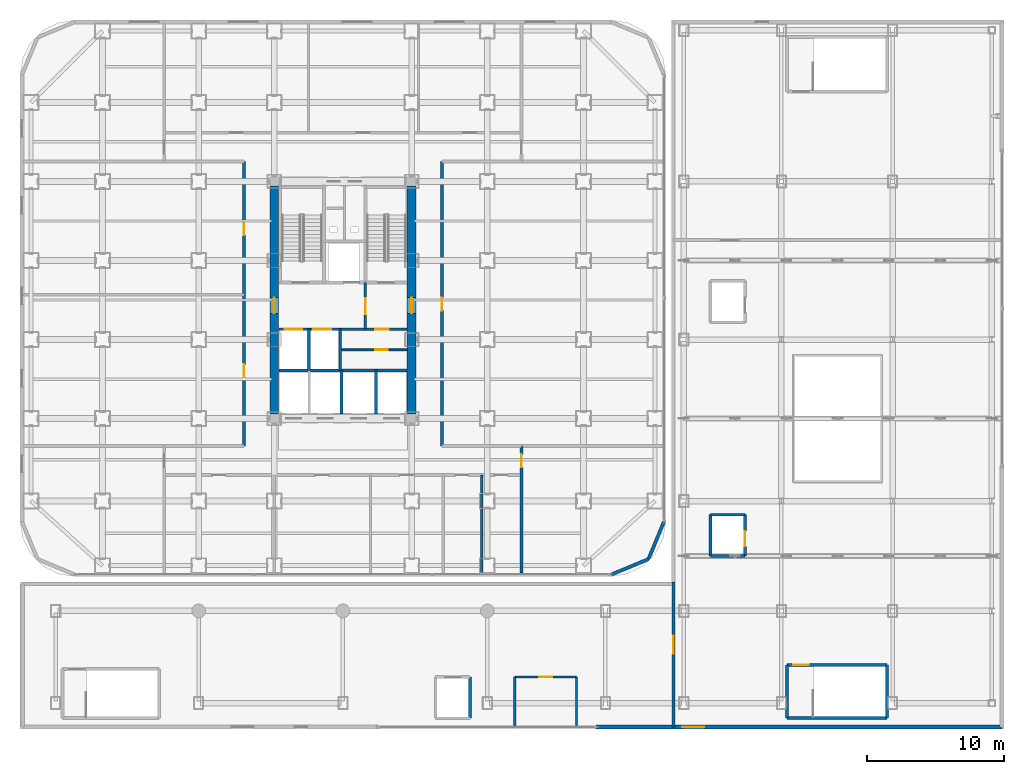
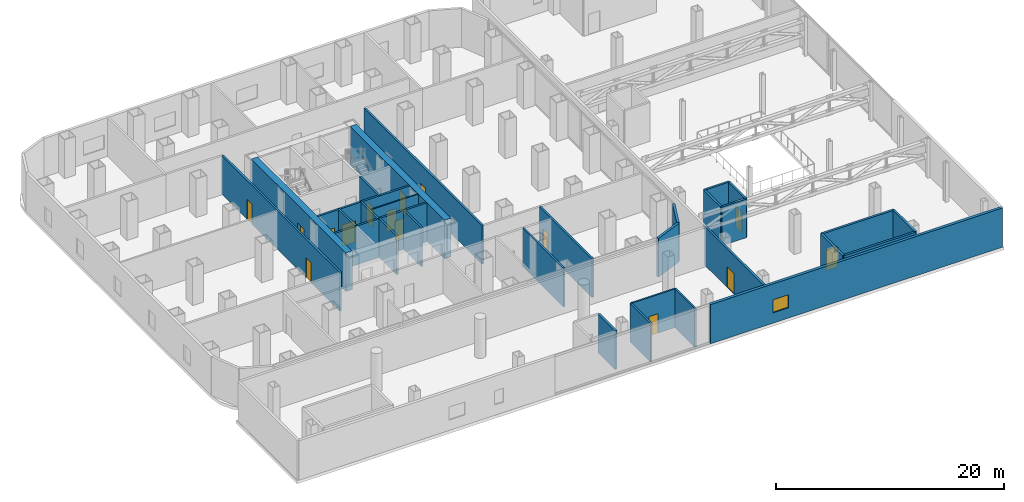
# One storey, part 23 of 28: 30 walls, 15 doors, 1 window, 16 openings.
"""IFC4 building model written with IfcOpenShell, lengths in metres."""

import ifcopenshell
import ifcopenshell.guid

model = None  # the IFC model being written
_history = None  # IfcOwnerHistory: only IFC2X3 demands one
_inside = {}  # id of a spatial element -> (the spatial element, [elements in it])
_under = {}  # id of a project, library or spatial element -> (it, [spatial elements below it])
_declared = {}  # id of a project -> (the project, [libraries it declares])
_typed = {}  # id of a type object -> (the type object, [elements of that type])
_made_of = {}  # id of a material, layer set ... -> (it, [elements and type objects made of it])


def new_model(schema):
    """Start an empty IFC model of exactly this schema.

    Asked for "IFC4X3", IfcOpenShell would pick the latest addendum, in which some entities
    have other attributes; the version numbers below select the first issue.
    IFC2X3 requires an IfcOwnerHistory on every rooted entity: one is made here for all.
    """
    global model, _history
    if schema == "IFC4X3":
        model = ifcopenshell.file(schema_version=(4, 3, 0, 0))
    else:
        model = ifcopenshell.file(schema=schema)
    _inside.clear()
    _under.clear()
    _declared.clear()
    _typed.clear()
    _made_of.clear()
    _history = None
    if model.schema == "IFC2X3":
        org = make("IfcOrganization", Name="unknown")
        user = make(
            "IfcPersonAndOrganization",
            ThePerson=make("IfcPerson", FamilyName="unknown"),
            TheOrganization=org,
        )
        app = make(
            "IfcApplication",
            ApplicationDeveloper=org,
            Version="unknown",
            ApplicationFullName="unknown",
            ApplicationIdentifier="unknown",
        )
        _history = make(
            "IfcOwnerHistory",
            OwningUser=user,
            OwningApplication=app,
            ChangeAction="ADDED",
            CreationDate=0,
        )
    return model


def make(cls, **values):
    """One entity of the class cls with the attributes given. An attribute that is None is left unset."""
    return model.create_entity(
        cls, **{name: value for name, value in values.items() if value is not None}
    )


def rooted(cls, **values):
    """An entity with a GlobalId (a new one), such as an element, a storey or a relation."""
    return make(cls, GlobalId=ifcopenshell.guid.new(), OwnerHistory=_history, **values)


def si_unit(unit_type, name, prefix=None):
    """IfcSIUnit, for example si_unit("LENGTHUNIT", "METRE", prefix="MILLI")."""
    return make("IfcSIUnit", UnitType=unit_type, Prefix=prefix, Name=name)


def assignment(units):
    """IfcUnitAssignment: the units of a project."""
    return None if units is None else make("IfcUnitAssignment", Units=units)


def point(xyz):
    """IfcCartesianPoint."""
    return None if xyz is None else make("IfcCartesianPoint", Coordinates=xyz)


def direction(xyz):
    """IfcDirection."""
    return None if xyz is None else make("IfcDirection", DirectionRatios=xyz)


def frame(location, z_axis=None, x_axis=None):
    """IfcAxis2Placement3D, a coordinate frame: its origin and axes. An axis left out is left unset."""
    return make(
        "IfcAxis2Placement3D",
        Location=point(location),
        Axis=direction(z_axis),
        RefDirection=direction(x_axis),
    )


def frame_2d(location, x_axis=None):
    """IfcAxis2Placement2D, a coordinate frame in the plane: its origin and x axis."""
    return make(
        "IfcAxis2Placement2D", Location=point(location), RefDirection=direction(x_axis)
    )


def origin():
    """The frame at (0, 0, 0) with its axes left unset."""
    return frame((0.0, 0.0, 0.0))


def place(relative_to, where):
    """IfcLocalPlacement: puts the frame where relative to a parent placement (None: the world)."""
    return make(
        "IfcLocalPlacement", PlacementRelTo=relative_to, RelativePlacement=where
    )


def context(
    kind, dimensions, precision=None, world=None, true_north=None, identifier=None
):
    """IfcGeometricRepresentationContext, for example the 3D "Model" context."""
    return make(
        "IfcGeometricRepresentationContext",
        ContextIdentifier=identifier,
        ContextType=kind,
        CoordinateSpaceDimension=dimensions,
        Precision=precision,
        WorldCoordinateSystem=world,
        TrueNorth=true_north,
    )


def subcontext(parent, identifier, kind, view, scale=None):
    """IfcGeometricRepresentationSubContext, for example "Body" below "Model"."""
    return make(
        "IfcGeometricRepresentationSubContext",
        ContextIdentifier=identifier,
        ContextType=kind,
        ParentContext=parent,
        TargetScale=scale,
        TargetView=view,
    )


def project(units=None, contexts=None):
    """IfcProject with its units and contexts."""
    return rooted(
        "IfcProject",
        Name="project",
        RepresentationContexts=contexts,
        UnitsInContext=assignment(units),
    )


def spatial(cls, under=None, at=None, **own):
    """A site, building, storey or space (cls), placed at a placement, below another one or the project."""
    s = rooted(cls, ObjectPlacement=at, **own)
    if under is not None:
        _under.setdefault(under.id(), (under, []))[1].append(s)
    return s


def profile(cls, at=None, kind="AREA", **sizes):
    """A parametric profile (cls). Its sizes go by their IFC names, for example OverallWidth=200.0."""
    return make(cls, ProfileType=kind, Position=at, **sizes)


def rectangle(**sizes):
    """IfcRectangleProfileDef."""
    return profile("IfcRectangleProfileDef", **sizes)


def extrude(swept, where, along, depth):
    """IfcExtrudedAreaSolid: the profile swept, set in the frame where, extruded along a direction by depth."""
    return make(
        "IfcExtrudedAreaSolid",
        SweptArea=swept,
        Position=where,
        ExtrudedDirection=direction(along),
        Depth=depth,
    )


def shape(context_of_items, identifier, shape_type, items):
    """IfcShapeRepresentation: the items that make up one representation, for example the "Body"."""
    return make(
        "IfcShapeRepresentation",
        ContextOfItems=context_of_items,
        RepresentationIdentifier=identifier,
        RepresentationType=shape_type,
        Items=items,
    )


def material(Name=None, Category=None):
    """IfcMaterial."""
    return make("IfcMaterial", Name=Name, Category=Category)


def layer(
    of_material, thickness, ventilated=None, Name=None, Category=None, Priority=None
):
    """IfcMaterialLayer: one layer of a wall or slab, of a material (None: an air gap)."""
    return make(
        "IfcMaterialLayer",
        Material=of_material,
        LayerThickness=thickness,
        IsVentilated=ventilated,
        Name=Name,
        Category=Category,
        Priority=Priority,
    )


def layer_set(layers, Name=None):
    """IfcMaterialLayerSet."""
    return make("IfcMaterialLayerSet", MaterialLayers=layers, LayerSetName=Name)


def made_of(thing, what):
    """Note that an element or type object is made of a material, layer set ...; save() writes the relation."""
    if what is not None:
        _made_of.setdefault(what.id(), (what, []))[1].append(thing)
    return thing


def type_object(cls, material=None, **own):
    """A type object (cls), such as IfcWallType, which elements share."""
    return made_of(rooted(cls, **own), material)


def element(
    cls,
    number,
    at=None,
    inside=None,
    cuts=None,
    type_object=None,
    material=None,
    context=None,
    identifier="Body",
    shape_type=None,
    held_by="IfcProductDefinitionShape",
    body=None,
    shapes=None,
    **own,
):
    """One element of the class cls, such as IfcWall. Its Tag is "e" and its number.

    at: its placement. inside: the storey or other place that contains it. cuts: it is an
    opening in that element (IfcRelVoidsElement). A single representation is given by context,
    identifier, shape_type and body (its items); several are given by shapes. held_by: the class
    of the entity that holds the representations. save() writes the other relations.
    """
    e = rooted(cls, Tag="e%d" % number, ObjectPlacement=at, **own)
    if body is not None:
        shapes = [shape(context, identifier, shape_type, body)]
    if shapes is not None:
        e.Representation = make(held_by, Representations=shapes)
    if inside is not None:
        _inside.setdefault(inside.id(), (inside, []))[1].append(e)
    if cuts is not None:
        rooted(
            "IfcRelVoidsElement", RelatingBuildingElement=cuts, RelatedOpeningElement=e
        )
    if type_object is not None:
        _typed.setdefault(type_object.id(), (type_object, []))[1].append(e)
    return made_of(e, material)


def fill(opening, filler):
    """IfcRelFillsElement: the door or window that sits in an opening."""
    return rooted(
        "IfcRelFillsElement",
        RelatingOpeningElement=opening,
        RelatedBuildingElement=filler,
    )


def aggregate(whole, parts):
    """IfcRelAggregates: a whole, such as a stair, and the parts it consists of."""
    return rooted("IfcRelAggregates", RelatingObject=whole, RelatedObjects=parts)


def save(model, path):
    """Write the relations noted so far, then the file.

    IfcRelAggregates (storeys below a building ...), IfcRelContainedInSpatialStructure (elements
    in a storey), IfcRelDefinesByType, IfcRelAssociatesMaterial and IfcRelDeclares: one each for
    every whole, place, type object, material and project.
    """
    for whole, parts in _under.values():
        aggregate(whole, parts)
    for where, things in _inside.values():
        rooted(
            "IfcRelContainedInSpatialStructure",
            RelatedElements=things,
            RelatingStructure=where,
        )
    for kind, things in _typed.values():
        rooted("IfcRelDefinesByType", RelatedObjects=things, RelatingType=kind)
    for what, things in _made_of.values():
        rooted("IfcRelAssociatesMaterial", RelatedObjects=things, RelatingMaterial=what)
    for by, libraries in _declared.values():
        rooted("IfcRelDeclares", RelatingContext=by, RelatedDefinitions=libraries)
    model.write(path)


model = new_model("IFC4")

# Units and contexts
model_context = context("Model", 3, precision=1e-05, world=origin(), true_north=direction((0.0, 1.0)))
body_context = subcontext(model_context, "Body", "Model", "MODEL_VIEW")
ifc_project = project(units=[si_unit("LENGTHUNIT", "METRE"), si_unit("AREAUNIT", "SQUARE_METRE"), si_unit("VOLUMEUNIT", "CUBIC_METRE"), si_unit("PLANEANGLEUNIT", "RADIAN"), si_unit("MASSUNIT", "GRAM", prefix="KILO")], contexts=[model_context])

# Site, building, storey
site_placement = place(None, origin())
site = spatial("IfcSite", under=ifc_project, at=site_placement, CompositionType="ELEMENT")
building_placement = place(site_placement, origin())
building = spatial("IfcBuilding", under=site, at=building_placement, Name="Kolveth Station Tower", CompositionType="ELEMENT")
storey_placement = place(building_placement, frame((0.0, 0.0, 18.0)))
storey = spatial("IfcBuildingStorey", under=building, at=storey_placement, Name="L04", CompositionType="ELEMENT", Elevation=18.0)

# Wall, opening, door
ifc_material_1 = material(Name="Concrete C60/75", Category="concrete")
ifc_layer_1 = layer(ifc_material_1, 0.64990234375)
ifc_layer_set_1 = layer_set([ifc_layer_1], Name="Concrete C60/75")
wall_type_1 = type_object("IfcWallType", Name="Wall_CW-650", PredefinedType="SHEAR", material=ifc_layer_set_1)
wall_1_placement = place(storey_placement, frame((18.5, 11.824951171875, 0.0), z_axis=(0.0, 0.0, 1.0), x_axis=(0.0, 1.0, 0.0)))
wall_1 = element("IfcWall", 1, at=wall_1_placement, inside=storey, type_object=wall_type_1, Name="L04 Core RC Shear Wall W", PredefinedType="SHEAR", context=body_context, shape_type="SweptSolid", body=[
    extrude(rectangle(XDim=16.60009765625, YDim=0.64990234375, at=frame_2d((8.300048828125, 0.0))), origin(), (0.0, 0.0, 1.0), 4.139892578125),
])
opening_1_placement = place(wall_1_placement, frame((7.324951171875, 0.0, 0.0)))
opening_1 = element("IfcOpeningElement", 2, at=opening_1_placement, cuts=wall_1, Name="Opening FD1", PredefinedType="OPENING", context=body_context, shape_type="SweptSolid", body=[
    extrude(rectangle(XDim=1.14990234375, YDim=2.199951171875, at=frame_2d((0.574951171875, 1.10009765625))), frame((0.0, 0.3349609375, 0.0), z_axis=(0.0, -1.0, 0.0), x_axis=(1.0, 0.0, 0.0)), (0.0, 0.0, 1.0), 0.669921875),
])
ifc_material_2 = material(Name="Fire-rated Steel S355 leaf and frame", Category="steel")
door_type_1 = type_object("IfcDoorType", Name="Door_FD1", OperationType="NOTDEFINED", PredefinedType="DOOR", material=ifc_material_2)
door_1_placement = place(opening_1_placement, frame((1.14990234375, 0.0, 0.0), z_axis=(0.0, 0.0, 1.0), x_axis=(-1.0, 0.0, 0.0)))
door_1 = element("IfcDoor", 3, at=door_1_placement, inside=storey, type_object=door_type_1, Name="L04 West Corridor to Firefighting Lobby Door", OperationType="SINGLE_SWING_RIGHT", OverallHeight=2.199951171875, OverallWidth=1.14990234375, PredefinedType="DOOR", context=body_context, shape_type="SweptSolid", body=[
    extrude(rectangle(XDim=1.14990234375, YDim=2.199951171875, at=frame_2d((0.574951171875, 1.10009765625))), frame((0.0, 0.02490234375, 0.0), z_axis=(0.0, -1.0, 0.0), x_axis=(1.0, 0.0, 0.0)), (0.0, 0.0, 1.0), 0.050048828125),
])
fill(opening_1, door_1)

wall_2_placement = place(storey_placement, frame((28.5, 11.824951171875, 0.0), z_axis=(0.0, 0.0, 1.0), x_axis=(0.0, 1.0, 0.0)))
wall_2 = element("IfcWall", 4, at=wall_2_placement, inside=storey, type_object=wall_type_1, Name="L04 Core RC Shear Wall E", PredefinedType="SHEAR", context=body_context, shape_type="SweptSolid", body=[
    extrude(rectangle(XDim=16.60009765625, YDim=0.64990234375, at=frame_2d((8.300048828125, 0.0))), origin(), (0.0, 0.0, 1.0), 4.139892578125),
])
opening_2_placement = place(wall_2_placement, frame((7.324951171875, 0.0, 0.0)))
opening_2 = element("IfcOpeningElement", 5, at=opening_2_placement, cuts=wall_2, Name="Opening FD1", PredefinedType="OPENING", context=body_context, shape_type="SweptSolid", body=[
    extrude(rectangle(XDim=1.14990234375, YDim=2.199951171875, at=frame_2d((0.574951171875, 1.10009765625))), frame((0.0, 0.3349609375, 0.0), z_axis=(0.0, -1.0, 0.0), x_axis=(1.0, 0.0, 0.0)), (0.0, 0.0, 1.0), 0.669921875),
])
door_2_placement = place(opening_2_placement, origin())
door_2 = element("IfcDoor", 6, at=door_2_placement, inside=storey, type_object=door_type_1, Name="L04 East Corridor to Stair Lobby Door", OperationType="SINGLE_SWING_LEFT", OverallHeight=2.199951171875, OverallWidth=1.14990234375, PredefinedType="DOOR", context=body_context, shape_type="SweptSolid", body=[
    extrude(rectangle(XDim=1.14990234375, YDim=2.199951171875, at=frame_2d((0.574951171875, 1.10009765625))), frame((0.0, 0.02490234375, 0.0), z_axis=(0.0, -1.0, 0.0), x_axis=(1.0, 0.0, 0.0)), (0.0, 0.0, 1.0), 0.050048828125),
])
fill(opening_2, door_2)

# Walls
ifc_material_3 = material(Name="Precast concrete C40/50", Category="concrete")
ifc_layer_2 = layer(ifc_material_3, 0.239990234375)
ifc_layer_set_2 = layer_set([ifc_layer_2], Name="Precast concrete C40/50")
wall_type_2 = type_object("IfcWallType", Name="Wall_EW-240", PredefinedType="SOLIDWALL", material=ifc_layer_set_2)
for number, where, z_axis, x_axis, name in (
    (7, (43.0, 0.139892578125, 0.0), (0.0, 0.0, 1.0), (0.923876833688, 0.382689947836, 0.0), "L04 Podium Rounded Corner Wall 1"),
    (8, (45.7294921875, 1.2705078125, 0.0), (0.0, 0.0, 1.0), (0.382689947836, 0.923876833688, 0.0), "L04 Podium Rounded Corner Wall 2"),
):
    element("IfcWall", number, at=place(storey_placement, frame(where, z_axis=z_axis, x_axis=x_axis)), inside=storey, type_object=wall_type_2, Name=name, PredefinedType="SOLIDWALL", context=body_context, shape_type="SweptSolid", body=[
        extrude(rectangle(XDim=2.954345703125, YDim=0.239990234375, at=frame_2d((1.47705078125, 0.0))), origin(), (0.0, 0.0, 1.0), 4.139892578125),
    ])

# Wall, opening, window
ifc_layer_3 = layer(ifc_material_3, 0.280029296875)
ifc_layer_set_3 = layer_set([ifc_layer_3], Name="Precast concrete C40/50")
wall_type_3 = type_object("IfcWallType", Name="Wall_EW-280", PredefinedType="SOLIDWALL", material=ifc_layer_set_3)
wall_3_placement = place(storey_placement, frame((41.89990234375, -10.949951171875, 0.0), z_axis=(0.0, 0.0, 1.0), x_axis=(1.0, 0.0, 0.0)))
wall_3 = element("IfcWall", 9, at=wall_3_placement, inside=storey, type_object=wall_type_3, Name="L04 Station Exterior Wall S2", PredefinedType="SOLIDWALL", context=body_context, shape_type="SweptSolid", body=[
    extrude(rectangle(XDim=29.550048828125, YDim=0.280029296875, at=frame_2d((14.77490234375, 0.0))), origin(), (0.0, 0.0, 1.0), 4.199951171875),
])
opening_3_placement = place(wall_3_placement, frame((6.300048828125, 0.0, 1.10009765625)))
opening_3 = element("IfcOpeningElement", 10, at=opening_3_placement, cuts=wall_3, Name="Opening W7", PredefinedType="OPENING", context=body_context, shape_type="SweptSolid", body=[
    extrude(rectangle(XDim=1.60009765625, YDim=1.39990234375, at=frame_2d((0.800048828125, 0.699951171875))), frame((0.0, 0.14990234375, 0.0), z_axis=(0.0, -1.0, 0.0), x_axis=(1.0, 0.0, 0.0)), (0.0, 0.0, 1.0), 0.300048828125),
])
ifc_material_4 = material(Name="Black anodized aluminium 6063-T6 and triple low-E glass", Category="aluminium")
window_type = type_object("IfcWindowType", Name="Win_W7", PartitioningType="SINGLE_PANEL", PredefinedType="WINDOW", material=ifc_material_4)
window_placement = place(opening_3_placement, origin())
window = element("IfcWindow", 11, at=window_placement, inside=storey, type_object=window_type, Name="L04 Station Hall Window 3", OverallHeight=1.39990234375, OverallWidth=1.60009765625, PartitioningType="SINGLE_PANEL", PredefinedType="WINDOW", context=body_context, shape_type="SweptSolid", body=[
    extrude(rectangle(XDim=1.60009765625, YDim=1.39990234375, at=frame_2d((0.800048828125, 0.699951171875))), frame((0.0, 0.030029296875, 0.0), z_axis=(0.0, -1.0, 0.0), x_axis=(1.0, 0.0, 0.0)), (0.0, 0.0, 1.0), 0.06005859375),
])
fill(opening_3, window)

# Wall, opening, door
ifc_material_5 = material(Name="Moisture-resistant gypsum partition")
ifc_layer_4 = layer(ifc_material_5, 0.135009765625)
ifc_layer_set_4 = layer_set([ifc_layer_4], Name="Moisture-resistant gypsum partition")
wall_type_4 = type_object("IfcWallType", Name="Wall_IW-135", PredefinedType="PARTITIONING", material=ifc_layer_set_4)
wall_4_placement = place(storey_placement, frame((23.300048828125, 16.5, 0.0), z_axis=(0.0, 0.0, 1.0), x_axis=(1.0, 0.0, 0.0)))
wall_4 = element("IfcWall", 12, at=wall_4_placement, inside=storey, type_object=wall_type_4, Name="L04 Partition Wall WL-L04-CB-H1", PredefinedType="PARTITIONING", context=body_context, shape_type="SweptSolid", body=[
    extrude(rectangle(XDim=4.864990234375, YDim=0.135009765625, at=frame_2d((2.4326171875, 0.0))), origin(), (0.0, 0.0, 1.0), 4.139892578125),
])
opening_4_placement = place(wall_4_placement, frame((2.550048828125, 0.0, 0.0)))
opening_4 = element("IfcOpeningElement", 13, at=opening_4_placement, cuts=wall_4, Name="Opening RD1", PredefinedType="OPENING", context=body_context, shape_type="SweptSolid", body=[
    extrude(rectangle(XDim=0.89990234375, YDim=2.050048828125, at=frame_2d((0.449951171875, 1.02490234375))), frame((0.0, 0.077392578125, 0.0), z_axis=(0.0, -1.0, 0.0), x_axis=(1.0, 0.0, 0.0)), (0.0, 0.0, 1.0), 0.155029296875),
])
ifc_material_6 = material(Name="Fire-rated Steel S355 riser access leaf", Category="steel")
door_type_2 = type_object("IfcDoorType", Name="Door_RD1", OperationType="NOTDEFINED", PredefinedType="DOOR", material=ifc_material_6)
door_3_placement = place(opening_4_placement, frame((0.89990234375, 0.0, 0.0), z_axis=(0.0, 0.0, 1.0), x_axis=(-1.0, 0.0, 0.0)))
door_3 = element("IfcDoor", 14, at=door_3_placement, inside=storey, type_object=door_type_2, Name="L04 Core Equipment Store Door", OperationType="SINGLE_SWING_LEFT", OverallHeight=2.050048828125, OverallWidth=0.89990234375, PredefinedType="DOOR", context=body_context, shape_type="SweptSolid", body=[
    extrude(rectangle(XDim=0.89990234375, YDim=2.050048828125, at=frame_2d((0.449951171875, 1.02490234375))), frame((0.0, 0.02490234375, 0.0), z_axis=(0.0, -1.0, 0.0), x_axis=(1.0, 0.0, 0.0)), (0.0, 0.0, 1.0), 0.050048828125),
])
fill(opening_4, door_3)

# Wall
ifc_material_7 = material(Name="Acoustic double-stud gypsum partition")
ifc_layer_5 = layer(ifc_material_7, 0.1650390625)
ifc_layer_set_5 = layer_set([ifc_layer_5], Name="Acoustic double-stud gypsum partition")
wall_type_5 = type_object("IfcWallType", Name="Wall_IW-165", PredefinedType="PARTITIONING", material=ifc_layer_set_5)
wall_5_placement = place(storey_placement, frame((33.60009765625, 0.25, 0.0), z_axis=(0.0, 0.0, 1.0), x_axis=(0.0, 1.0, 0.0)))
element("IfcWall", 15, at=wall_5_placement, inside=storey, type_object=wall_type_5, Name="L04 Partition Wall WL-L04-TPS-P4", PredefinedType="PARTITIONING", context=body_context, shape_type="SweptSolid", body=[
    extrude(rectangle(XDim=7.14990234375, YDim=0.1650390625, at=frame_2d((3.574951171875, 0.0))), origin(), (0.0, 0.0, 1.0), 4.139892578125),
])

# Wall, opening, door
wall_6_placement = place(storey_placement, frame((36.0, -7.300048828125, 0.0), z_axis=(0.0, 0.0, 1.0), x_axis=(1.0, 0.0, 0.0)))
wall_6 = element("IfcWall", 16, at=wall_6_placement, inside=storey, type_object=wall_type_5, Name="L04 Partition Wall WL-L04-SWC-N", PredefinedType="PARTITIONING", context=body_context, shape_type="SweptSolid", body=[
    extrude(rectangle(XDim=4.5, YDim=0.1650390625, at=frame_2d((2.25, 0.0))), origin(), (0.0, 0.0, 1.0), 4.139892578125),
])
opening_5_placement = place(wall_6_placement, frame((1.800048828125, 0.0, 0.0)))
opening_5 = element("IfcOpeningElement", 17, at=opening_5_placement, cuts=wall_6, Name="Opening ID2", PredefinedType="OPENING", context=body_context, shape_type="SweptSolid", body=[
    extrude(rectangle(XDim=0.919921875, YDim=2.10009765625, at=frame_2d((0.4599609375, 1.050048828125))), frame((0.0, 0.092529296875, 0.0), z_axis=(0.0, -1.0, 0.0), x_axis=(1.0, 0.0, 0.0)), (0.0, 0.0, 1.0), 0.18505859375),
])
ifc_material_8 = material(Name="Moisture-resistant hardwood leaf", Category="wood")
door_type_3 = type_object("IfcDoorType", Name="Door_ID2", OperationType="NOTDEFINED", PredefinedType="DOOR", material=ifc_material_8)
door_4_placement = place(opening_5_placement, origin())
door_4 = element("IfcDoor", 18, at=door_4_placement, inside=storey, type_object=door_type_3, Name="L04 Station Accessible WC Door", OperationType="SINGLE_SWING_RIGHT", OverallHeight=2.10009765625, OverallWidth=0.919921875, PredefinedType="DOOR", context=body_context, shape_type="SweptSolid", body=[
    extrude(rectangle(XDim=0.919921875, YDim=2.10009765625, at=frame_2d((0.4599609375, 1.050048828125))), frame((0.0, 0.02490234375, 0.0), z_axis=(0.0, -1.0, 0.0), x_axis=(1.0, 0.0, 0.0)), (0.0, 0.0, 1.0), 0.050048828125),
])
fill(opening_5, door_4)

# Walls
for number, where, z_axis, x_axis, name in (
    (19, (36.0, -10.85009765625, 0.0), (0.0, 0.0, 1.0), (0.0, 1.0, 0.0), "L04 Partition Wall WL-L04-SWC-W"),
    (20, (40.5, -10.85009765625, 0.0), (0.0, 0.0, 1.0), (0.0, 1.0, 0.0), "L04 Partition Wall WL-L04-SWC-E"),
):
    element("IfcWall", number, at=place(storey_placement, frame(where, z_axis=z_axis, x_axis=x_axis)), inside=storey, type_object=wall_type_5, Name=name, PredefinedType="PARTITIONING", context=body_context, shape_type="SweptSolid", body=[
        extrude(rectangle(XDim=3.550048828125, YDim=0.1650390625, at=frame_2d((1.77490234375, 0.0))), origin(), (0.0, 0.0, 1.0), 4.139892578125),
    ])

# Wall, opening, door
ifc_material_9 = material(Name="Acoustic fire-rated gypsum blockwork", Category="masonry")
ifc_layer_6 = layer(ifc_material_9, 0.199951171875)
ifc_layer_set_6 = layer_set([ifc_layer_6], Name="Acoustic fire-rated gypsum blockwork")
wall_type_6 = type_object("IfcWallType", Name="Wall_IW-200", PredefinedType="PARTITIONING", material=ifc_layer_set_6)
wall_7_placement = place(storey_placement, frame((25.1298828125, 18.0, 0.0), z_axis=(0.0, 0.0, 1.0), x_axis=(0.0, 1.0, 0.0)))
wall_7 = element("IfcWall", 21, at=wall_7_placement, inside=storey, type_object=wall_type_6, Name="L04 Partition Wall WL-L04-FFL-E", PredefinedType="PARTITIONING", context=body_context, shape_type="SweptSolid", body=[
    extrude(rectangle(XDim=3.389892578125, YDim=0.199951171875, at=frame_2d((1.69482421875, 0.0))), origin(), (0.0, 0.0, 1.0), 4.139892578125),
])
opening_6_placement = place(wall_7_placement, frame((1.10009765625, 0.0, 0.0)))
opening_6 = element("IfcOpeningElement", 22, at=opening_6_placement, cuts=wall_7, Name="Opening FD1", PredefinedType="OPENING", context=body_context, shape_type="SweptSolid", body=[
    extrude(rectangle(XDim=1.14990234375, YDim=2.199951171875, at=frame_2d((0.574951171875, 1.10009765625))), frame((0.0, 0.10986328125, 0.0), z_axis=(0.0, -1.0, 0.0), x_axis=(1.0, 0.0, 0.0)), (0.0, 0.0, 1.0), 0.219970703125),
])
door_5_placement = place(opening_6_placement, origin())
door_5 = element("IfcDoor", 23, at=door_5_placement, inside=storey, type_object=door_type_1, Name="L04 Firefighting to Stair Lobby Door", OperationType="SINGLE_SWING_LEFT", OverallHeight=2.199951171875, OverallWidth=1.14990234375, PredefinedType="DOOR", context=body_context, shape_type="SweptSolid", body=[
    extrude(rectangle(XDim=1.14990234375, YDim=2.199951171875, at=frame_2d((0.574951171875, 1.10009765625))), frame((0.0, 0.02490234375, 0.0), z_axis=(0.0, -1.0, 0.0), x_axis=(1.0, 0.0, 0.0)), (0.0, 0.0, 1.0), 0.050048828125),
])
fill(opening_6, door_5)

# Wall, openings, doors
wall_8_placement = place(storey_placement, frame((18.8349609375, 18.0, 0.0), z_axis=(0.0, 0.0, 1.0), x_axis=(1.0, 0.0, 0.0)))
wall_8 = element("IfcWall", 24, at=wall_8_placement, inside=storey, type_object=wall_type_6, Name="L04 Partition Wall WL-L04-FFL-S", PredefinedType="PARTITIONING", context=body_context, shape_type="SweptSolid", body=[
    extrude(rectangle(XDim=9.330078125, YDim=0.199951171875, at=frame_2d((4.6650390625, 0.0))), origin(), (0.0, 0.0, 1.0), 4.139892578125),
])
opening_7_placement = place(wall_8_placement, frame((0.4150390625, 0.0, 0.0)))
opening_7 = element("IfcOpeningElement", 25, at=opening_7_placement, cuts=wall_8, Name="Opening LD2", PredefinedType="OPENING", context=body_context, shape_type="SweptSolid", body=[
    extrude(rectangle(XDim=1.300048828125, YDim=2.300048828125, at=frame_2d((0.64990234375, 1.14990234375))), frame((0.0, 0.10986328125, 0.0), z_axis=(0.0, -1.0, 0.0), x_axis=(1.0, 0.0, 0.0)), (0.0, 0.0, 1.0), 0.219970703125),
])
opening_8_placement = place(wall_8_placement, frame((2.514892578125, 0.0, 0.0)))
opening_8 = element("IfcOpeningElement", 26, at=opening_8_placement, cuts=wall_8, Name="Opening LD2", PredefinedType="OPENING", context=body_context, shape_type="SweptSolid", body=[
    extrude(rectangle(XDim=1.300048828125, YDim=2.300048828125, at=frame_2d((0.64990234375, 1.14990234375))), frame((0.0, 0.10986328125, 0.0), z_axis=(0.0, -1.0, 0.0), x_axis=(1.0, 0.0, 0.0)), (0.0, 0.0, 1.0), 0.219970703125),
])
opening_9_placement = place(wall_8_placement, frame((7.014892578125, 0.0, 0.0)))
opening_9 = element("IfcOpeningElement", 27, at=opening_9_placement, cuts=wall_8, Name="Opening FD3", PredefinedType="OPENING", context=body_context, shape_type="SweptSolid", body=[
    extrude(rectangle(XDim=1.0, YDim=2.14990234375, at=frame_2d((0.5, 1.074951171875))), frame((0.0, 0.10986328125, 0.0), z_axis=(0.0, -1.0, 0.0), x_axis=(1.0, 0.0, 0.0)), (0.0, 0.0, 1.0), 0.219970703125),
])
ifc_material_10 = material(Name="Fire-rated hardwood leaf and aluminium frame", Category="wood")
door_type_4 = type_object("IfcDoorType", Name="Door_FD3", OperationType="NOTDEFINED", PredefinedType="DOOR", material=ifc_material_10)
door_6_placement = place(opening_9_placement, frame((1.0, 0.0, 0.0), z_axis=(0.0, 0.0, 1.0), x_axis=(-1.0, 0.0, 0.0)))
door_6 = element("IfcDoor", 28, at=door_6_placement, inside=storey, type_object=door_type_4, Name="L04 Core Linen and Supply Store Door", OperationType="SINGLE_SWING_RIGHT", OverallHeight=2.14990234375, OverallWidth=1.0, PredefinedType="DOOR", context=body_context, shape_type="SweptSolid", body=[
    extrude(rectangle(XDim=1.0, YDim=2.14990234375, at=frame_2d((0.5, 1.074951171875))), frame((0.0, 0.02490234375, 0.0), z_axis=(0.0, -1.0, 0.0), x_axis=(1.0, 0.0, 0.0)), (0.0, 0.0, 1.0), 0.050048828125),
])
fill(opening_9, door_6)
ifc_material_11 = material(Name="Firefighting stainless steel sliding landing doors", Category="steel")
door_type_5 = type_object("IfcDoorType", Name="Door_LD2", OperationType="NOTDEFINED", PredefinedType="DOOR", material=ifc_material_11)
door_7_placement = place(opening_7_placement, origin())
door_7 = element("IfcDoor", 29, at=door_7_placement, inside=storey, type_object=door_type_5, Name="L04 Firefighting Lift FF1 Landing Door", OperationType="DOUBLE_DOOR_SLIDING", OverallHeight=2.300048828125, OverallWidth=1.300048828125, PredefinedType="DOOR", context=body_context, shape_type="SweptSolid", body=[
    extrude(rectangle(XDim=1.300048828125, YDim=2.300048828125, at=frame_2d((0.64990234375, 1.14990234375))), frame((0.0, 0.02490234375, 0.0), z_axis=(0.0, -1.0, 0.0), x_axis=(1.0, 0.0, 0.0)), (0.0, 0.0, 1.0), 0.050048828125),
])
fill(opening_7, door_7)
door_8_placement = place(opening_8_placement, origin())
door_8 = element("IfcDoor", 30, at=door_8_placement, inside=storey, type_object=door_type_5, Name="L04 Firefighting Lift FF2 Landing Door", OperationType="DOUBLE_DOOR_SLIDING", OverallHeight=2.300048828125, OverallWidth=1.300048828125, PredefinedType="DOOR", context=body_context, shape_type="SweptSolid", body=[
    extrude(rectangle(XDim=1.300048828125, YDim=2.300048828125, at=frame_2d((0.64990234375, 1.14990234375))), frame((0.0, 0.02490234375, 0.0), z_axis=(0.0, -1.0, 0.0), x_axis=(1.0, 0.0, 0.0)), (0.0, 0.0, 1.0), 0.050048828125),
])
fill(opening_8, door_8)

# Walls
for number, where, z_axis, x_axis, name in (
    (31, (21.02001953125, 15.0, 0.0), (0.0, 0.0, 1.0), (0.0, 1.0, 0.0), "L04 Partition Wall WL-L04-FF12"),
    (32, (23.300048828125, 15.0, 0.0), (0.0, 0.0, 1.0), (0.0, 1.0, 0.0), "L04 Partition Wall WL-L04-FF2E"),
):
    element("IfcWall", number, at=place(storey_placement, frame(where, z_axis=z_axis, x_axis=x_axis)), inside=storey, type_object=wall_type_6, Name=name, PredefinedType="PARTITIONING", context=body_context, shape_type="SweptSolid", body=[
        extrude(rectangle(XDim=3.0, YDim=0.199951171875, at=frame_2d((1.5, 0.0))), origin(), (0.0, 0.0, 1.0), 4.139892578125),
    ])
wall_9_placement = place(storey_placement, frame((18.8349609375, 15.0, 0.0), z_axis=(0.0, 0.0, 1.0), x_axis=(1.0, 0.0, 0.0)))
element("IfcWall", 33, at=wall_9_placement, inside=storey, type_object=wall_type_6, Name="L04 Partition Wall WL-L04-BOH-S", PredefinedType="PARTITIONING", context=body_context, shape_type="SweptSolid", body=[
    extrude(rectangle(XDim=9.330078125, YDim=0.199951171875, at=frame_2d((4.6650390625, 0.0))), origin(), (0.0, 0.0, 1.0), 4.139892578125),
])
for number, where, z_axis, x_axis, name in (
    (34, (23.39990234375, 11.8349609375, 0.0), (0.0, 0.0, 1.0), (0.0, 1.0, 0.0), "L04 Partition Wall WL-L04-PL2E"),
    (35, (25.89990234375, 11.8349609375, 0.0), (0.0, 0.0, 1.0), (0.0, 1.0, 0.0), "L04 Partition Wall WL-L04-PMPH"),
):
    element("IfcWall", number, at=place(storey_placement, frame(where, z_axis=z_axis, x_axis=x_axis)), inside=storey, type_object=wall_type_6, Name=name, PredefinedType="PARTITIONING", context=body_context, shape_type="SweptSolid", body=[
        extrude(rectangle(XDim=3.1650390625, YDim=0.199951171875, at=frame_2d((1.58251953125, 0.0))), origin(), (0.0, 0.0, 1.0), 4.139892578125),
    ])

# Wall, openings, doors
wall_10_placement = place(storey_placement, frame((16.300048828125, 9.5, 0.0), z_axis=(0.0, 0.0, 1.0), x_axis=(0.0, 1.0, 0.0)))
wall_10 = element("IfcWall", 36, at=wall_10_placement, inside=storey, type_object=wall_type_6, Name="L04 Partition Wall WL-L04-BW", PredefinedType="PARTITIONING", context=body_context, shape_type="SweptSolid", body=[
    extrude(rectangle(XDim=20.699951171875, YDim=0.199951171875, at=frame_2d((10.35009765625, 0.0))), origin(), (0.0, 0.0, 1.0), 4.139892578125),
])
opening_10_placement = place(wall_10_placement, frame((5.0, 0.0, 0.0)))
opening_10 = element("IfcOpeningElement", 37, at=opening_10_placement, cuts=wall_10, Name="Opening ID1", PredefinedType="OPENING", context=body_context, shape_type="SweptSolid", body=[
    extrude(rectangle(XDim=0.949951171875, YDim=2.14990234375, at=frame_2d((0.47509765625, 1.074951171875))), frame((0.0, 0.10986328125, 0.0), z_axis=(0.0, -1.0, 0.0), x_axis=(1.0, 0.0, 0.0)), (0.0, 0.0, 1.0), 0.219970703125),
])
opening_11_placement = place(wall_10_placement, frame((15.35009765625, 0.0, 0.0)))
opening_11 = element("IfcOpeningElement", 38, at=opening_11_placement, cuts=wall_10, Name="Opening ID1", PredefinedType="OPENING", context=body_context, shape_type="SweptSolid", body=[
    extrude(rectangle(XDim=0.949951171875, YDim=2.14990234375, at=frame_2d((0.47509765625, 1.074951171875))), frame((0.0, 0.10986328125, 0.0), z_axis=(0.0, -1.0, 0.0), x_axis=(1.0, 0.0, 0.0)), (0.0, 0.0, 1.0), 0.219970703125),
])
ifc_material_12 = material(Name="Acoustic hardwood leaf and aluminium frame", Category="wood")
door_type_6 = type_object("IfcDoorType", Name="Door_ID1", OperationType="NOTDEFINED", PredefinedType="DOOR", material=ifc_material_12)
door_9_placement = place(opening_10_placement, frame((0.949951171875, 0.0, 0.0), z_axis=(0.0, 0.0, 1.0), x_axis=(-1.0, 0.0, 0.0)))
door_9 = element("IfcDoor", 39, at=door_9_placement, inside=storey, type_object=door_type_6, Name="L04 Podium Clinic Office West 1 Door", OperationType="SINGLE_SWING_RIGHT", OverallHeight=2.14990234375, OverallWidth=0.949951171875, PredefinedType="DOOR", context=body_context, shape_type="SweptSolid", body=[
    extrude(rectangle(XDim=0.949951171875, YDim=2.14990234375, at=frame_2d((0.47509765625, 1.074951171875))), frame((0.0, 0.02490234375, 0.0), z_axis=(0.0, -1.0, 0.0), x_axis=(1.0, 0.0, 0.0)), (0.0, 0.0, 1.0), 0.050048828125),
])
fill(opening_10, door_9)
door_10_placement = place(opening_11_placement, frame((0.949951171875, 0.0, 0.0), z_axis=(0.0, 0.0, 1.0), x_axis=(-1.0, 0.0, 0.0)))
door_10 = element("IfcDoor", 40, at=door_10_placement, inside=storey, type_object=door_type_6, Name="L04 Meeting Room West Door", OperationType="SINGLE_SWING_LEFT", OverallHeight=2.14990234375, OverallWidth=0.949951171875, PredefinedType="DOOR", context=body_context, shape_type="SweptSolid", body=[
    extrude(rectangle(XDim=0.949951171875, YDim=2.14990234375, at=frame_2d((0.47509765625, 1.074951171875))), frame((0.0, 0.02490234375, 0.0), z_axis=(0.0, -1.0, 0.0), x_axis=(1.0, 0.0, 0.0)), (0.0, 0.0, 1.0), 0.050048828125),
])
fill(opening_11, door_10)

# Wall, opening, door
wall_11_placement = place(storey_placement, frame((30.699951171875, 9.5, 0.0), z_axis=(0.0, 0.0, 1.0), x_axis=(0.0, 1.0, 0.0)))
wall_11 = element("IfcWall", 41, at=wall_11_placement, inside=storey, type_object=wall_type_6, Name="L04 Partition Wall WL-L04-BE", PredefinedType="PARTITIONING", context=body_context, shape_type="SweptSolid", body=[
    extrude(rectangle(XDim=20.699951171875, YDim=0.199951171875, at=frame_2d((10.35009765625, 0.0))), origin(), (0.0, 0.0, 1.0), 4.139892578125),
])
opening_12_placement = place(wall_11_placement, frame((9.85009765625, 0.0, 0.0)))
opening_12 = element("IfcOpeningElement", 42, at=opening_12_placement, cuts=wall_11, Name="Opening ID1", PredefinedType="OPENING", context=body_context, shape_type="SweptSolid", body=[
    extrude(rectangle(XDim=0.949951171875, YDim=2.14990234375, at=frame_2d((0.47509765625, 1.074951171875))), frame((0.0, 0.10986328125, 0.0), z_axis=(0.0, -1.0, 0.0), x_axis=(1.0, 0.0, 0.0)), (0.0, 0.0, 1.0), 0.219970703125),
])
door_11_placement = place(opening_12_placement, origin())
door_11 = element("IfcDoor", 43, at=door_11_placement, inside=storey, type_object=door_type_6, Name="L04 Podium Clinic Office East Door", OperationType="SINGLE_SWING_RIGHT", OverallHeight=2.14990234375, OverallWidth=0.949951171875, PredefinedType="DOOR", context=body_context, shape_type="SweptSolid", body=[
    extrude(rectangle(XDim=0.949951171875, YDim=2.14990234375, at=frame_2d((0.47509765625, 1.074951171875))), frame((0.0, 0.02490234375, 0.0), z_axis=(0.0, -1.0, 0.0), x_axis=(1.0, 0.0, 0.0)), (0.0, 0.0, 1.0), 0.050048828125),
])
fill(opening_12, door_11)

wall_12_placement = place(storey_placement, frame((36.5, 0.25, 0.0), z_axis=(0.0, 0.0, 1.0), x_axis=(0.0, 1.0, 0.0)))
wall_12 = element("IfcWall", 44, at=wall_12_placement, inside=storey, type_object=wall_type_6, Name="L04 Partition Wall WL-L04-BES", PredefinedType="PARTITIONING", context=body_context, shape_type="SweptSolid", body=[
    extrude(rectangle(XDim=9.25, YDim=0.199951171875, at=frame_2d((4.625, 0.0))), origin(), (0.0, 0.0, 1.0), 4.139892578125),
])
opening_13_placement = place(wall_12_placement, frame((7.699951171875, 0.0, 0.0)))
opening_13 = element("IfcOpeningElement", 45, at=opening_13_placement, cuts=wall_12, Name="Opening ID1", PredefinedType="OPENING", context=body_context, shape_type="SweptSolid", body=[
    extrude(rectangle(XDim=0.949951171875, YDim=2.14990234375, at=frame_2d((0.47509765625, 1.074951171875))), frame((0.0, 0.10986328125, 0.0), z_axis=(0.0, -1.0, 0.0), x_axis=(1.0, 0.0, 0.0)), (0.0, 0.0, 1.0), 0.219970703125),
])
door_12_placement = place(opening_13_placement, origin())
door_12 = element("IfcDoor", 46, at=door_12_placement, inside=storey, type_object=door_type_6, Name="L04 Podium Clinic Office CSE Door", OperationType="SINGLE_SWING_LEFT", OverallHeight=2.14990234375, OverallWidth=0.949951171875, PredefinedType="DOOR", context=body_context, shape_type="SweptSolid", body=[
    extrude(rectangle(XDim=0.949951171875, YDim=2.14990234375, at=frame_2d((0.47509765625, 1.074951171875))), frame((0.0, 0.02490234375, 0.0), z_axis=(0.0, -1.0, 0.0), x_axis=(1.0, 0.0, 0.0)), (0.0, 0.0, 1.0), 0.050048828125),
])
fill(opening_13, door_12)

# Walls
for number, where, z_axis, x_axis, name in (
    (47, (50.25, 1.5, 0.0), (0.0, 0.0, 1.0), (1.0, 0.0, 0.0), "L04 Partition Wall WL-L04-SL1-S"),
    (48, (50.25, 4.5, 0.0), (0.0, 0.0, 1.0), (1.0, 0.0, 0.0), "L04 Partition Wall WL-L04-SL1-N"),
):
    element("IfcWall", number, at=place(storey_placement, frame(where, z_axis=z_axis, x_axis=x_axis)), inside=storey, type_object=wall_type_6, Name=name, PredefinedType="PARTITIONING", context=body_context, shape_type="SweptSolid", body=[
        extrude(rectangle(XDim=2.5, YDim=0.199951171875, at=frame_2d((1.25, 0.0))), origin(), (0.0, 0.0, 1.0), 4.139892578125),
    ])
wall_13_placement = place(storey_placement, frame((50.25, 1.5, 0.0), z_axis=(0.0, 0.0, 1.0), x_axis=(0.0, 1.0, 0.0)))
element("IfcWall", 49, at=wall_13_placement, inside=storey, type_object=wall_type_6, Name="L04 Partition Wall WL-L04-SL1-W", PredefinedType="PARTITIONING", context=body_context, shape_type="SweptSolid", body=[
    extrude(rectangle(XDim=3.0, YDim=0.199951171875, at=frame_2d((1.5, 0.0))), origin(), (0.0, 0.0, 1.0), 4.139892578125),
])

# Wall, opening, door
wall_14_placement = place(storey_placement, frame((52.75, 1.5, 0.0), z_axis=(0.0, 0.0, 1.0), x_axis=(0.0, 1.0, 0.0)))
wall_14 = element("IfcWall", 50, at=wall_14_placement, inside=storey, type_object=wall_type_6, Name="L04 Partition Wall WL-L04-SL1-E", PredefinedType="PARTITIONING", context=body_context, shape_type="SweptSolid", body=[
    extrude(rectangle(XDim=3.0, YDim=0.199951171875, at=frame_2d((1.5, 0.0))), origin(), (0.0, 0.0, 1.0), 4.139892578125),
])
opening_14_placement = place(wall_14_placement, frame((0.699951171875, 0.0, 0.0)))
opening_14 = element("IfcOpeningElement", 51, at=opening_14_placement, cuts=wall_14, Name="Opening LD1", PredefinedType="OPENING", context=body_context, shape_type="SweptSolid", body=[
    extrude(rectangle(XDim=1.10009765625, YDim=2.25, at=frame_2d((0.550048828125, 1.125))), frame((0.0, 0.10986328125, 0.0), z_axis=(0.0, -1.0, 0.0), x_axis=(1.0, 0.0, 0.0)), (0.0, 0.0, 1.0), 0.219970703125),
])
ifc_material_13 = material(Name="Brushed stainless steel sliding landing doors", Category="steel")
door_type_7 = type_object("IfcDoorType", Name="Door_LD1", OperationType="NOTDEFINED", PredefinedType="DOOR", material=ifc_material_13)
door_13_placement = place(opening_14_placement, origin())
door_13 = element("IfcDoor", 52, at=door_13_placement, inside=storey, type_object=door_type_7, Name="L04 Station Lift SL1 Landing Door", OperationType="DOUBLE_DOOR_SLIDING", OverallHeight=2.25, OverallWidth=1.10009765625, PredefinedType="DOOR", context=body_context, shape_type="SweptSolid", body=[
    extrude(rectangle(XDim=1.10009765625, YDim=2.25, at=frame_2d((0.550048828125, 1.125))), frame((0.0, 0.02490234375, 0.0), z_axis=(0.0, -1.0, 0.0), x_axis=(1.0, 0.0, 0.0)), (0.0, 0.0, 1.0), 0.050048828125),
])
fill(opening_14, door_13)

# Wall
wall_15_placement = place(storey_placement, frame((32.75, -10.300048828125, 0.0), z_axis=(0.0, 0.0, 1.0), x_axis=(0.0, 1.0, 0.0)))
element("IfcWall", 53, at=wall_15_placement, inside=storey, type_object=wall_type_6, Name="L04 Partition Wall WL-L04-SL3-E", PredefinedType="PARTITIONING", context=body_context, shape_type="SweptSolid", body=[
    extrude(rectangle(XDim=3.0, YDim=0.199951171875, at=frame_2d((1.5, 0.0))), origin(), (0.0, 0.0, 1.0), 4.139892578125),
])

# Wall, opening, door
wall_16_placement = place(storey_placement, frame((47.550048828125, -10.949951171875, 0.0), z_axis=(0.0, 0.0, 1.0), x_axis=(0.0, 1.0, 0.0)))
wall_16 = element("IfcWall", 54, at=wall_16_placement, inside=storey, type_object=wall_type_6, Name="L04 Partition Wall WL-L04-STN-SE", PredefinedType="PARTITIONING", context=body_context, shape_type="SweptSolid", body=[
    extrude(rectangle(XDim=10.550048828125, YDim=0.199951171875, at=frame_2d((5.27490234375, 0.0))), origin(), (0.0, 0.0, 1.0), 4.139892578125),
])
opening_15_placement = place(wall_16_placement, frame((5.35009765625, 0.0, 0.0)))
opening_15 = element("IfcOpeningElement", 55, at=opening_15_placement, cuts=wall_16, Name="Opening ID3", PredefinedType="OPENING", context=body_context, shape_type="SweptSolid", body=[
    extrude(rectangle(XDim=1.300048828125, YDim=2.199951171875, at=frame_2d((0.64990234375, 1.10009765625))), frame((0.0, 0.10986328125, 0.0), z_axis=(0.0, -1.0, 0.0), x_axis=(1.0, 0.0, 0.0)), (0.0, 0.0, 1.0), 0.219970703125),
])
ifc_material_14 = material(Name="Glazed acoustic office double leaf")
door_type_8 = type_object("IfcDoorType", Name="Door_ID3", OperationType="NOTDEFINED", PredefinedType="DOOR", material=ifc_material_14)
door_14_placement = place(opening_15_placement, origin())
door_14 = element("IfcDoor", 56, at=door_14_placement, inside=storey, type_object=door_type_8, Name="L04 Station South-to-East Concourse Door", OperationType="DOUBLE_DOOR_SINGLE_SWING", OverallHeight=2.199951171875, OverallWidth=1.300048828125, PredefinedType="DOOR", context=body_context, shape_type="SweptSolid", body=[
    extrude(rectangle(XDim=1.300048828125, YDim=2.199951171875, at=frame_2d((0.64990234375, 1.10009765625))), frame((0.0, 0.02490234375, 0.0), z_axis=(0.0, -1.0, 0.0), x_axis=(1.0, 0.0, 0.0)), (0.0, 0.0, 1.0), 0.050048828125),
])
fill(opening_15, door_14)

# Wall
ifc_material_15 = material(Name="Concrete C40/50", Category="concrete")
ifc_layer_7 = layer(ifc_material_15, 0.219970703125)
ifc_layer_set_7 = layer_set([ifc_layer_7], Name="Concrete C40/50")
wall_type_7 = type_object("IfcWallType", Name="Wall_IW-220", PredefinedType="SOLIDWALL", material=ifc_layer_set_7)
wall_17_placement = place(storey_placement, frame((55.800048828125, -10.300048828125, 0.0), z_axis=(0.0, 0.0, 1.0), x_axis=(1.0, 0.0, 0.0)))
element("IfcWall", 57, at=wall_17_placement, inside=storey, type_object=wall_type_7, Name="L04 Stair Shaft Wall WL-L04-ST4-S", PredefinedType="SOLIDWALL", context=body_context, shape_type="SweptSolid", body=[
    extrude(rectangle(XDim=7.300048828125, YDim=0.219970703125, at=frame_2d((3.64990234375, 0.0))), origin(), (0.0, 0.0, 1.0), 4.139892578125),
])

# Wall, opening, door
wall_18_placement = place(storey_placement, frame((55.800048828125, -6.43994140625, 0.0), z_axis=(0.0, 0.0, 1.0), x_axis=(1.0, 0.0, 0.0)))
wall_18 = element("IfcWall", 58, at=wall_18_placement, inside=storey, type_object=wall_type_7, Name="L04 Stair Shaft Wall WL-L04-ST4-N", PredefinedType="SOLIDWALL", context=body_context, shape_type="SweptSolid", body=[
    extrude(rectangle(XDim=7.300048828125, YDim=0.219970703125, at=frame_2d((3.64990234375, 0.0))), origin(), (0.0, 0.0, 1.0), 4.139892578125),
])
opening_16_placement = place(wall_18_placement, frame((0.449951171875, 0.0, 0.0)))
opening_16 = element("IfcOpeningElement", 59, at=opening_16_placement, cuts=wall_18, Name="Opening FD1", PredefinedType="OPENING", context=body_context, shape_type="SweptSolid", body=[
    extrude(rectangle(XDim=1.14990234375, YDim=2.199951171875, at=frame_2d((0.574951171875, 1.10009765625))), frame((0.0, 0.119873046875, 0.0), z_axis=(0.0, -1.0, 0.0), x_axis=(1.0, 0.0, 0.0)), (0.0, 0.0, 1.0), 0.239990234375),
])
door_15_placement = place(opening_16_placement, origin())
door_15 = element("IfcDoor", 60, at=door_15_placement, inside=storey, type_object=door_type_1, Name="L04 Station Stair ST4 Door", OperationType="SINGLE_SWING_RIGHT", OverallHeight=2.199951171875, OverallWidth=1.14990234375, PredefinedType="DOOR", context=body_context, shape_type="SweptSolid", body=[
    extrude(rectangle(XDim=1.14990234375, YDim=2.199951171875, at=frame_2d((0.574951171875, 1.10009765625))), frame((0.0, 0.02490234375, 0.0), z_axis=(0.0, -1.0, 0.0), x_axis=(1.0, 0.0, 0.0)), (0.0, 0.0, 1.0), 0.050048828125),
])
fill(opening_16, door_15)

# Walls
for number, where, z_axis, x_axis, name in (
    (61, (55.800048828125, -10.300048828125, 0.0), (0.0, 0.0, 1.0), (0.0, 1.0, 0.0), "L04 Stair Shaft Wall WL-L04-ST4-W"),
    (62, (63.10009765625, -10.300048828125, 0.0), (0.0, 0.0, 1.0), (0.0, 1.0, 0.0), "L04 Stair Shaft Wall WL-L04-ST4-E"),
):
    element("IfcWall", number, at=place(storey_placement, frame(where, z_axis=z_axis, x_axis=x_axis)), inside=storey, type_object=wall_type_7, Name=name, PredefinedType="SOLIDWALL", context=body_context, shape_type="SweptSolid", body=[
        extrude(rectangle(XDim=3.860107421875, YDim=0.219970703125, at=frame_2d((1.93017578125, 0.0))), origin(), (0.0, 0.0, 1.0), 4.139892578125),
    ])

save(model, "model.ifc")
